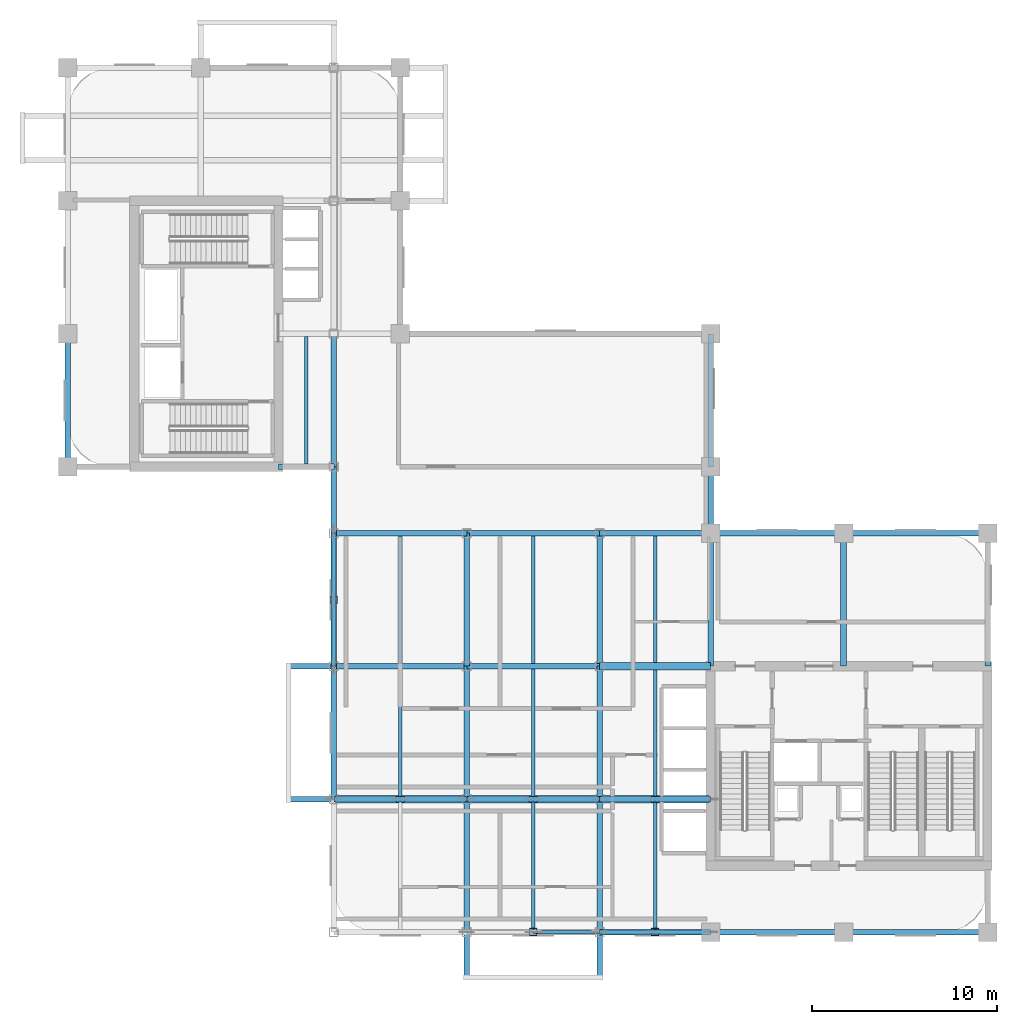
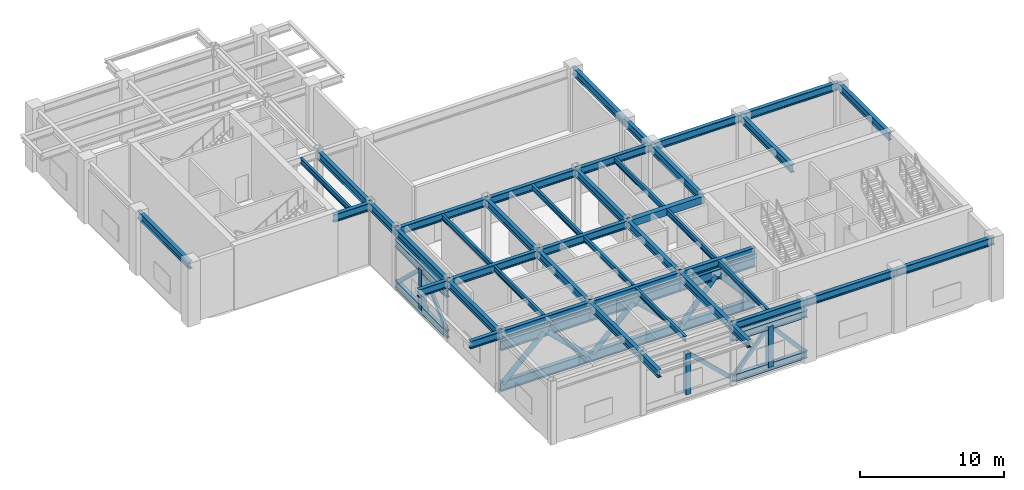
# One storey, part 2 of 10: 40 beams, 24 members.
"""IFC4 building model written with IfcOpenShell, lengths in metres."""

from ifc_helpers import new_model, si_unit, derived_unit, direction, frame, origin, origin_2d, place, context, subcontext, project, spatial, rectangle, hollow_rectangle, hollow_circle, i_section, extrude, source, transform, mapped, material, material_profile, profile_set, type_object, type_shapes, element, save


model = new_model("IFC4")

# Units and contexts
model_context = context("Model", 3, precision=1e-05, world=origin(), true_north=direction((0.0, 1.0)))
body_context = subcontext(model_context, "Body", "Model", "MODEL_VIEW")
ifc_project = project(units=[si_unit("LENGTHUNIT", "METRE"), si_unit("AREAUNIT", "SQUARE_METRE"), si_unit("VOLUMEUNIT", "CUBIC_METRE"), si_unit("PLANEANGLEUNIT", "RADIAN"), si_unit("MASSUNIT", "GRAM", prefix="KILO"), si_unit("THERMODYNAMICTEMPERATUREUNIT", "KELVIN"), si_unit("POWERUNIT", "WATT"), derived_unit("THERMALTRANSMITTANCEUNIT", [(si_unit("POWERUNIT", "WATT"), 1), (si_unit("AREAUNIT", "SQUARE_METRE"), -1), (si_unit("THERMODYNAMICTEMPERATUREUNIT", "KELVIN"), -1)])], contexts=[model_context])

# Site, building, storey
site_placement = place(None, origin())
site = spatial("IfcSite", under=ifc_project, at=site_placement, CompositionType="ELEMENT")
building_placement = place(site_placement, origin())
building = spatial("IfcBuilding", under=site, at=building_placement, Name="Zahravan Archway Hotel and Residences", CompositionType="ELEMENT")
storey_placement = place(building_placement, frame((0.0, 0.0, 196.5)))
storey = spatial("IfcBuildingStorey", under=building, at=storey_placement, Name="L49", CompositionType="ELEMENT", Elevation=196.5)

# Beams
ifc_material_1 = material(Name="Structural Steel S355JR", Category="steel")
ifc_material_profile_1 = material_profile(ifc_material_1, i_section(OverallWidth=0.300048828125, OverallDepth=0.64990234375, WebThickness=0.01611328125, FlangeThickness=0.031005859375, FilletRadius=0.027099609375, at=origin_2d()), Name="HEB 650", Category="steel")
ifc_profile_set_1 = profile_set([ifc_material_profile_1], Name="Structural Steel S355JR")
beam_type_1 = type_object("IfcBeamType", Name="BM-PRI-HEB650", PredefinedType="BEAM", material=ifc_profile_set_1)
shared_shape_1 = source(origin(), body_context, "Body", "SweptSolid", [
    extrude(i_section(OverallWidth=0.300048828125, OverallDepth=0.64990234375, WebThickness=0.01611328125, FlangeThickness=0.031005859375, FilletRadius=0.027099609375, at=origin_2d()), origin(), (0.0, 0.0, 1.0), 7.2001953125),
])
type_shapes(beam_type_1, [shared_shape_1])
for number, where, z_axis, x_axis, name in (
    (1, (14.39990234375, 21.60009765625, 4.824951171875), (1.0, 0.0, 0.0), (0.0, 1.0, 0.0), "L49 Primary Girder EW-11"),
    (2, (14.39990234375, 14.39990234375, 4.824951171875), (0.0, 1.0, 0.0), (-1.0, 0.0, 0.0), "L49 Primary Girder NS-30"),
    (3, (21.60009765625, 14.39990234375, 4.824951171875), (0.0, 1.0, 0.0), (-1.0, 0.0, 0.0), "L49 Primary Girder NS-37"),
    (4, (28.800048828125, 14.39990234375, 4.824951171875), (0.0, 1.0, 0.0), (-1.0, 0.0, 0.0), "L49 Primary Girder NS-40"),
    (5, (34.800048828125, 14.39990234375, 4.824951171875), (0.0, 1.0, 0.0), (-1.0, 0.0, 0.0), "L49 Primary Girder NS-41"),
    (6, (42.0, 14.39990234375, 4.824951171875), (0.0, 1.0, 0.0), (-1.0, 0.0, 0.0), "L49 Primary Girder NS-44"),
    (7, (49.800048828125, 14.39990234375, 4.824951171875), (0.0, 1.0, 0.0), (-1.0, 0.0, 0.0), "L49 Primary Girder NS-45"),
):
    element("IfcBeam", number, at=place(storey_placement, frame(where, z_axis=z_axis, x_axis=x_axis)), inside=storey, type_object=beam_type_1, Name=name, PredefinedType="BEAM", context=body_context, shape_type="MappedRepresentation", body=[
        mapped(shared_shape_1, transform((0.0, 0.0, 0.0), scale=1.0)),
    ])
shared_shape_2 = source(origin(), body_context, "Body", "SweptSolid", [
    extrude(i_section(OverallWidth=0.300048828125, OverallDepth=0.64990234375, WebThickness=0.01611328125, FlangeThickness=0.031005859375, FilletRadius=0.027099609375, at=origin_2d()), origin(), (0.0, 0.0, 1.0), 7.199951171875),
])
for number, where, z_axis, x_axis, name in (
    (8, (34.800048828125, 0.0, 4.824951171875), (1.0, 0.0, 0.0), (0.0, 1.0, 0.0), "L49 Primary Girder EW-04"),
    (9, (21.60009765625, 7.199951171875, 4.824951171875), (1.0, 0.0, 0.0), (0.0, 1.0, 0.0), "L49 Primary Girder EW-07"),
    (10, (21.60009765625, 14.39990234375, 4.824951171875), (1.0, 0.0, 0.0), (0.0, 1.0, 0.0), "L49 Primary Girder EW-10"),
    (11, (21.60009765625, 21.60009765625, 4.824951171875), (1.0, 0.0, 0.0), (0.0, 1.0, 0.0), "L49 Primary Girder EW-12"),
    (12, (34.800048828125, 21.60009765625, 4.824951171875), (1.0, 0.0, 0.0), (0.0, 1.0, 0.0), "L49 Primary Girder EW-14"),
    (13, (0.0, 25.199951171875, 4.824951171875), (0.0, 1.0, 0.0), (-1.0, 0.0, 0.0), "L49 Primary Girder NS-24"),
    (14, (14.39990234375, 7.199951171875, 4.824951171875), (0.0, 1.0, 0.0), (-1.0, 0.0, 0.0), "L49 Primary Girder NS-29"),
    (15, (14.39990234375, 25.199951171875, 4.824951171875), (0.0, 1.0, 0.0), (-1.0, 0.0, 0.0), "L49 Primary Girder NS-32"),
    (16, (21.60009765625, 7.199951171875, 4.824951171875), (0.0, 1.0, 0.0), (-1.0, 0.0, 0.0), "L49 Primary Girder NS-36"),
    (17, (28.800048828125, 7.199951171875, 4.824951171875), (0.0, 1.0, 0.0), (-1.0, 0.0, 0.0), "L49 Primary Girder NS-39"),
    (18, (34.800048828125, 25.199951171875, 4.824951171875), (0.0, 1.0, 0.0), (-1.0, 0.0, 0.0), "L49 Primary Girder NS-43"),
):
    element("IfcBeam", number, at=place(storey_placement, frame(where, z_axis=z_axis, x_axis=x_axis)), inside=storey, type_object=beam_type_1, Name=name, PredefinedType="BEAM", context=body_context, shape_type="MappedRepresentation", body=[
        mapped(shared_shape_2, transform((0.0, 0.0, 0.0), scale=1.0)),
    ])
shared_shape_3 = source(origin(), body_context, "Body", "SweptSolid", [
    extrude(i_section(OverallWidth=0.300048828125, OverallDepth=0.64990234375, WebThickness=0.01611328125, FlangeThickness=0.031005859375, FilletRadius=0.027099609375, at=origin_2d()), origin(), (0.0, 0.0, 1.0), 6.0),
])
for number, where, z_axis, x_axis, name in (
    (19, (28.800048828125, 0.0, 4.824951171875), (1.0, 0.0, 0.0), (0.0, 1.0, 0.0), "L49 Primary Girder EW-03"),
    (20, (28.800048828125, 7.199951171875, 4.824951171875), (1.0, 0.0, 0.0), (0.0, 1.0, 0.0), "L49 Primary Girder EW-08"),
    (21, (28.800048828125, 21.60009765625, 4.824951171875), (1.0, 0.0, 0.0), (0.0, 1.0, 0.0), "L49 Primary Girder EW-13"),
):
    element("IfcBeam", number, at=place(storey_placement, frame(where, z_axis=z_axis, x_axis=x_axis)), inside=storey, type_object=beam_type_1, Name=name, PredefinedType="BEAM", context=body_context, shape_type="MappedRepresentation", body=[
        mapped(shared_shape_3, transform((0.0, 0.0, 0.0), scale=1.0)),
    ])
shared_shape_4 = source(origin(), body_context, "Body", "SweptSolid", [
    extrude(i_section(OverallWidth=0.300048828125, OverallDepth=0.64990234375, WebThickness=0.01611328125, FlangeThickness=0.031005859375, FilletRadius=0.027099609375, at=origin_2d()), origin(), (0.0, 0.0, 1.0), 7.800048828125),
])
for number, where, z_axis, x_axis, name in (
    (22, (42.0, 0.0, 4.824951171875), (1.0, 0.0, 0.0), (0.0, 1.0, 0.0), "L49 Primary Girder EW-05"),
    (23, (42.0, 21.60009765625, 4.824951171875), (1.0, 0.0, 0.0), (0.0, 1.0, 0.0), "L49 Primary Girder EW-15"),
):
    element("IfcBeam", number, at=place(storey_placement, frame(where, z_axis=z_axis, x_axis=x_axis)), inside=storey, type_object=beam_type_1, Name=name, PredefinedType="BEAM", context=body_context, shape_type="MappedRepresentation", body=[
        mapped(shared_shape_4, transform((0.0, 0.0, 0.0), scale=1.0)),
    ])
shared_shape_5 = source(origin(), body_context, "Body", "SweptSolid", [
    extrude(i_section(OverallWidth=0.300048828125, OverallDepth=0.64990234375, WebThickness=0.01611328125, FlangeThickness=0.031005859375, FilletRadius=0.027099609375, at=origin_2d()), origin(), (0.0, 0.0, 1.0), 9.650146484375),
])
for number, where, z_axis, x_axis, name in (
    (24, (11.949951171875, 7.199951171875, 4.824951171875), (1.0, 0.0, 0.0), (0.0, 1.0, 0.0), "L49 Primary Girder EW-06"),
    (25, (11.949951171875, 14.39990234375, 4.824951171875), (1.0, 0.0, 0.0), (0.0, 1.0, 0.0), "L49 Primary Girder EW-09"),
):
    element("IfcBeam", number, at=place(storey_placement, frame(where, z_axis=z_axis, x_axis=x_axis)), inside=storey, type_object=beam_type_1, Name=name, PredefinedType="BEAM", context=body_context, shape_type="MappedRepresentation", body=[
        mapped(shared_shape_5, transform((0.0, 0.0, 0.0), scale=1.0)),
    ])
shared_shape_6 = source(origin(), body_context, "Body", "SweptSolid", [
    extrude(i_section(OverallWidth=0.300048828125, OverallDepth=0.64990234375, WebThickness=0.01611328125, FlangeThickness=0.031005859375, FilletRadius=0.027099609375, at=origin_2d()), origin(), (0.0, 0.0, 1.0), 3.0),
])
beam_1_placement = place(storey_placement, frame((11.39990234375, 25.199951171875, 4.824951171875), z_axis=(1.0, 0.0, 0.0), x_axis=(0.0, 1.0, 0.0)))
element("IfcBeam", 26, at=beam_1_placement, inside=storey, type_object=beam_type_1, Name="L49 Primary Girder EW-16", PredefinedType="BEAM", context=body_context, shape_type="MappedRepresentation", body=[
    mapped(shared_shape_6, transform((0.0, 0.0, 0.0), scale=1.0)),
])
shared_shape_7 = source(origin(), body_context, "Body", "SweptSolid", [
    extrude(i_section(OverallWidth=0.300048828125, OverallDepth=0.64990234375, WebThickness=0.01611328125, FlangeThickness=0.031005859375, FilletRadius=0.027099609375, at=origin_2d()), origin(), (0.0, 0.0, 1.0), 9.64990234375),
])
for number, where, z_axis, x_axis, name in (
    (27, (21.60009765625, -2.449951171875, 4.824951171875), (0.0, 1.0, 0.0), (-1.0, 0.0, 0.0), "L49 Primary Girder NS-35"),
    (28, (28.800048828125, -2.449951171875, 4.824951171875), (0.0, 1.0, 0.0), (-1.0, 0.0, 0.0), "L49 Primary Girder NS-38"),
):
    element("IfcBeam", number, at=place(storey_placement, frame(where, z_axis=z_axis, x_axis=x_axis)), inside=storey, type_object=beam_type_1, Name=name, PredefinedType="BEAM", context=body_context, shape_type="MappedRepresentation", body=[
        mapped(shared_shape_7, transform((0.0, 0.0, 0.0), scale=1.0)),
    ])
shared_shape_8 = source(origin(), body_context, "Body", "SweptSolid", [
    extrude(i_section(OverallWidth=0.300048828125, OverallDepth=0.64990234375, WebThickness=0.01611328125, FlangeThickness=0.031005859375, FilletRadius=0.027099609375, at=origin_2d()), origin(), (0.0, 0.0, 1.0), 3.599853515625),
])
for number, where, z_axis, x_axis, name in (
    (29, (14.39990234375, 21.60009765625, 4.824951171875), (0.0, 1.0, 0.0), (-1.0, 0.0, 0.0), "L49 Primary Girder NS-31"),
    (30, (34.800048828125, 21.60009765625, 4.824951171875), (0.0, 1.0, 0.0), (-1.0, 0.0, 0.0), "L49 Primary Girder NS-42"),
):
    element("IfcBeam", number, at=place(storey_placement, frame(where, z_axis=z_axis, x_axis=x_axis)), inside=storey, type_object=beam_type_1, Name=name, PredefinedType="BEAM", context=body_context, shape_type="MappedRepresentation", body=[
        mapped(shared_shape_8, transform((0.0, 0.0, 0.0), scale=1.0)),
    ])
ifc_material_profile_2 = material_profile(ifc_material_1, i_section(OverallWidth=0.18994140625, OverallDepth=0.449951171875, WebThickness=0.009521484375, FlangeThickness=0.0146484375, FilletRadius=0.02099609375, at=origin_2d()), Name="IPE 450", Category="steel")
ifc_profile_set_2 = profile_set([ifc_material_profile_2], Name="Structural Steel S355JR")
beam_type_2 = type_object("IfcBeamType", Name="BM-JST-IPE450", PredefinedType="JOIST", material=ifc_profile_set_2)
shared_shape_9 = source(origin(), body_context, "Body", "SweptSolid", [
    extrude(i_section(OverallWidth=0.18994140625, OverallDepth=0.449951171875, WebThickness=0.009521484375, FlangeThickness=0.0146484375, FilletRadius=0.02099609375, at=origin_2d()), origin(), (0.0, 0.0, 1.0), 6.904052734375),
])
type_shapes(beam_type_2, [shared_shape_9])
for number, where, z_axis, x_axis, name in (
    (31, (25.199951171875, 0.14794921875, 4.925048828125), (0.0, 1.0, 0.0), (-1.0, 0.0, 0.0), "L49 Composite Floor Joist 02"),
    (32, (31.800048828125, 0.14794921875, 4.925048828125), (0.0, 1.0, 0.0), (-1.0, 0.0, 0.0), "L49 Composite Floor Joist 03"),
    (33, (18.0, 7.347900390625, 4.925048828125), (0.0, 1.0, 0.0), (-1.0, 0.0, 0.0), "L49 Composite Floor Joist 04"),
    (34, (25.199951171875, 7.347900390625, 4.925048828125), (0.0, 1.0, 0.0), (-1.0, 0.0, 0.0), "L49 Composite Floor Joist 05"),
    (35, (12.89990234375, 25.347900390625, 4.925048828125), (0.0, 1.0, 0.0), (-1.0, 0.0, 0.0), "L49 Composite Floor Joist 10"),
):
    element("IfcBeam", number, at=place(storey_placement, frame(where, z_axis=z_axis, x_axis=x_axis)), inside=storey, type_object=beam_type_2, Name=name, PredefinedType="JOIST", context=body_context, shape_type="MappedRepresentation", body=[
        mapped(shared_shape_9, transform((0.0, 0.0, 0.0), scale=1.0)),
    ])
shared_shape_10 = source(origin(), body_context, "Body", "SweptSolid", [
    extrude(i_section(OverallWidth=0.18994140625, OverallDepth=0.449951171875, WebThickness=0.009521484375, FlangeThickness=0.0146484375, FilletRadius=0.02099609375, at=origin_2d()), origin(), (0.0, 0.0, 1.0), 6.90380859375),
])
for number, where, z_axis, x_axis, name in (
    (36, (18.0, 14.548095703125, 4.925048828125), (0.0, 1.0, 0.0), (-1.0, 0.0, 0.0), "L49 Composite Floor Joist 08"),
    (37, (25.199951171875, 14.548095703125, 4.925048828125), (0.0, 1.0, 0.0), (-1.0, 0.0, 0.0), "L49 Composite Floor Joist 09"),
):
    element("IfcBeam", number, at=place(storey_placement, frame(where, z_axis=z_axis, x_axis=x_axis)), inside=storey, type_object=beam_type_2, Name=name, PredefinedType="JOIST", context=body_context, shape_type="MappedRepresentation", body=[
        mapped(shared_shape_10, transform((0.0, 0.0, 0.0), scale=1.0)),
    ])
ifc_material_2 = material(Name="Concrete C60/75", Category="concrete")
ifc_material_profile_3 = material_profile(ifc_material_2, rectangle(XDim=0.39990234375, YDim=0.60009765625, at=origin_2d()), Name="RC-LNT-400x600", Category="concrete")
ifc_profile_set_3 = profile_set([ifc_material_profile_3], Name="Concrete C60/75")
beam_type_3 = type_object("IfcBeamType", Name="LNT-RC-400x600", PredefinedType="LINTEL", material=ifc_profile_set_3)
shared_shape_11 = source(origin(), body_context, "Body", "SweptSolid", [
    extrude(rectangle(XDim=0.39990234375, YDim=0.60009765625, at=origin_2d()), origin(), (0.0, 0.0, 1.0), 6.0),
])
type_shapes(beam_type_3, [shared_shape_11])
beam_2_placement = place(storey_placement, frame((28.800048828125, 14.39990234375, 4.85009765625), z_axis=(1.0, 0.0, 0.0), x_axis=(0.0, 1.0, 0.0)))
element("IfcBeam", 38, at=beam_2_placement, inside=storey, type_object=beam_type_3, Name="L49 Core A Coupling Lintel Beam", PredefinedType="LINTEL", context=body_context, shape_type="MappedRepresentation", body=[
    mapped(shared_shape_11, transform((0.0, 0.0, 0.0), scale=1.0)),
])
shared_shape_12 = source(origin(), body_context, "Body", "SweptSolid", [
    extrude(i_section(OverallWidth=0.18994140625, OverallDepth=0.449951171875, WebThickness=0.009521484375, FlangeThickness=0.0146484375, FilletRadius=0.02099609375, at=origin_2d()), origin(), (0.0, 0.0, 1.0), 6.85400390625),
])
for number, where, z_axis, x_axis, name in (
    (39, (31.800048828125, 7.347900390625, 4.925048828125), (0.0, 1.0, 0.0), (-1.0, 0.0, 0.0), "L49 Composite Floor Joist 06"),
    (40, (31.800048828125, 14.597900390625, 4.925048828125), (0.0, 1.0, 0.0), (-1.0, 0.0, 0.0), "L49 Composite Floor Joist 07"),
):
    element("IfcBeam", number, at=place(storey_placement, frame(where, z_axis=z_axis, x_axis=x_axis)), inside=storey, type_object=beam_type_2, Name=name, PredefinedType="JOIST", context=body_context, shape_type="MappedRepresentation", body=[
        mapped(shared_shape_12, transform((0.0, 0.0, 0.0), scale=1.0)),
    ])

# Members
ifc_material_3 = material(Name="Structural Steel S460M", Category="steel")
ifc_material_profile_4 = material_profile(ifc_material_3, i_section(OverallWidth=0.302978515625, OverallDepth=0.81396484375, WebThickness=0.02099609375, FlangeThickness=0.0400390625, FilletRadius=0.030029296875, at=origin_2d()), Name="HEM 800", Category="steel")
ifc_profile_set_4 = profile_set([ifc_material_profile_4], Name="Structural Steel S460M")
member_type_1 = type_object("IfcMemberType", Name="MEM-CHD-HEM800", PredefinedType="CHORD", material=ifc_profile_set_4)
shared_shape_13 = source(origin(), body_context, "Body", "SweptSolid", [
    extrude(i_section(OverallWidth=0.302978515625, OverallDepth=0.81396484375, WebThickness=0.02099609375, FlangeThickness=0.0400390625, FilletRadius=0.030029296875, at=origin_2d()), origin(), (0.0, 0.0, 1.0), 7.2001953125),
])
type_shapes(member_type_1, [shared_shape_13])
for number, where, z_axis, x_axis, name in (
    (41, (14.39990234375, 7.199951171875, 3.89990234375), (1.0, 0.0, 0.0), (0.0, 1.0, 0.0), "L49 Outrigger OT3 Top Chord 1"),
    (42, (14.39990234375, 7.199951171875, 0.449951171875), (1.0, 0.0, 0.0), (0.0, 1.0, 0.0), "L49 Outrigger OT3 Bottom Chord 1"),
):
    element("IfcMember", number, at=place(storey_placement, frame(where, z_axis=z_axis, x_axis=x_axis)), inside=storey, type_object=member_type_1, Name=name, PredefinedType="CHORD", context=body_context, shape_type="MappedRepresentation", body=[
        mapped(shared_shape_13, transform((0.0, 0.0, 0.0), scale=1.0)),
    ])
shared_shape_14 = source(origin(), body_context, "Body", "SweptSolid", [
    extrude(i_section(OverallWidth=0.302978515625, OverallDepth=0.81396484375, WebThickness=0.02099609375, FlangeThickness=0.0400390625, FilletRadius=0.030029296875, at=origin_2d()), origin(), (0.0, 0.0, 1.0), 7.199951171875),
])
for number, where, z_axis, x_axis, name in (
    (43, (21.60009765625, 7.199951171875, 3.89990234375), (1.0, 0.0, 0.0), (0.0, 1.0, 0.0), "L49 Outrigger OT3 Top Chord 2"),
    (44, (21.60009765625, 7.199951171875, 0.449951171875), (1.0, 0.0, 0.0), (0.0, 1.0, 0.0), "L49 Outrigger OT3 Bottom Chord 2"),
):
    element("IfcMember", number, at=place(storey_placement, frame(where, z_axis=z_axis, x_axis=x_axis)), inside=storey, type_object=member_type_1, Name=name, PredefinedType="CHORD", context=body_context, shape_type="MappedRepresentation", body=[
        mapped(shared_shape_14, transform((0.0, 0.0, 0.0), scale=1.0)),
    ])
shared_shape_15 = source(origin(), body_context, "Body", "SweptSolid", [
    extrude(i_section(OverallWidth=0.302978515625, OverallDepth=0.81396484375, WebThickness=0.02099609375, FlangeThickness=0.0400390625, FilletRadius=0.030029296875, at=origin_2d()), origin(), (0.0, 0.0, 1.0), 6.0),
])
for number, where, z_axis, x_axis, name in (
    (45, (28.800048828125, 7.199951171875, 3.89990234375), (1.0, 0.0, 0.0), (0.0, 1.0, 0.0), "L49 Outrigger OT3 Top Chord 3"),
    (46, (28.800048828125, 7.199951171875, 0.449951171875), (1.0, 0.0, 0.0), (0.0, 1.0, 0.0), "L49 Outrigger OT3 Bottom Chord 3"),
):
    element("IfcMember", number, at=place(storey_placement, frame(where, z_axis=z_axis, x_axis=x_axis)), inside=storey, type_object=member_type_1, Name=name, PredefinedType="CHORD", context=body_context, shape_type="MappedRepresentation", body=[
        mapped(shared_shape_15, transform((0.0, 0.0, 0.0), scale=1.0)),
    ])
ifc_material_4 = material(Name="Structural Steel S355J2", Category="steel")
ifc_material_profile_5 = material_profile(ifc_material_4, hollow_rectangle(XDim=0.199951171875, YDim=0.300048828125, WallThickness=0.012451171875, at=origin_2d()), Name="RHS 300x200x12.5", Category="steel")
ifc_profile_set_5 = profile_set([ifc_material_profile_5], Name="Structural Steel S355J2")
member_type_2 = type_object("IfcMemberType", Name="MEM-DIAG-RHS300", PredefinedType="BRACE", material=ifc_profile_set_5)
shared_shape_16 = source(origin(), body_context, "Body", "SweptSolid", [
    extrude(hollow_rectangle(XDim=0.199951171875, YDim=0.300048828125, WallThickness=0.012451171875, at=origin_2d()), origin(), (0.0, 0.0, 1.0), 4.586181640625),
])
type_shapes(member_type_2, [shared_shape_16])
for number, where, z_axis, x_axis, name in (
    (47, (25.3154296875, 0.0, 3.789306640625), (0.722011473464, 0.0, -0.691881082402), (0.0, 1.0, 0.0), "L49 Belt Truss BT3 Right Brace 1"),
    (48, (14.39990234375, 14.5732421875, 0.6162109375), (0.0, 0.722011473464, 0.691881082402), (-1.0, 0.0, 0.0), "L49 Belt Truss BT3 Left Brace 3"),
    (49, (14.39990234375, 18.115478515625, 3.789306640625), (0.0, 0.722011473464, -0.691881082402), (-1.0, 0.0, 0.0), "L49 Belt Truss BT3 Right Brace 3"),
):
    element("IfcMember", number, at=place(storey_placement, frame(where, z_axis=z_axis, x_axis=x_axis)), inside=storey, type_object=member_type_2, Name=name, PredefinedType="BRACE", context=body_context, shape_type="MappedRepresentation", body=[
        mapped(shared_shape_16, transform((0.0, 0.0, 0.0), scale=1.0)),
    ])
ifc_material_profile_6 = material_profile(ifc_material_4, hollow_rectangle(XDim=0.39990234375, YDim=0.39990234375, WallThickness=0.02001953125, at=origin_2d()), Name="SHS 400x400x20", Category="steel")
ifc_profile_set_6 = profile_set([ifc_material_profile_6], Name="Structural Steel S355J2")
member_type_3 = type_object("IfcMemberType", Name="MEM-POST-SHS400", PredefinedType="POST", material=ifc_profile_set_6)
shared_shape_17 = source(origin(), body_context, "Body", "SweptSolid", [
    extrude(hollow_rectangle(XDim=0.39990234375, YDim=0.39990234375, WallThickness=0.02001953125, at=origin_2d()), origin(), (0.0, 0.0, 1.0), 3.449951171875),
])
type_shapes(member_type_3, [shared_shape_17])
for number, where, z_axis, x_axis, name in (
    (50, (25.199951171875, 0.0, 0.449951171875), (0.0, 0.0, 1.0), (1.0, 0.0, 0.0), "L49 Belt Truss BT3 King Post 1"),
    (51, (31.800048828125, 0.0, 0.449951171875), (0.0, 0.0, 1.0), (1.0, 0.0, 0.0), "L49 Belt Truss BT3 King Post 2"),
    (52, (14.39990234375, 18.0, 0.449951171875), (0.0, 0.0, 1.0), (1.0, 0.0, 0.0), "L49 Belt Truss BT3 King Post 3"),
):
    element("IfcMember", number, at=place(storey_placement, frame(where, z_axis=z_axis, x_axis=x_axis)), inside=storey, type_object=member_type_3, Name=name, PredefinedType="POST", context=body_context, shape_type="MappedRepresentation", body=[
        mapped(shared_shape_17, transform((0.0, 0.0, 0.0), scale=1.0)),
    ])
ifc_material_profile_7 = material_profile(ifc_material_4, i_section(OverallWidth=0.304931640625, OverallDepth=0.6201171875, WebThickness=0.02099609375, FlangeThickness=0.0400390625, FilletRadius=0.027099609375, at=origin_2d()), Name="HEM 600", Category="steel")
ifc_profile_set_7 = profile_set([ifc_material_profile_7], Name="Structural Steel S355J2")
member_type_4 = type_object("IfcMemberType", Name="MEM-CHD-HEM600", PredefinedType="CHORD", material=ifc_profile_set_7)
shared_shape_18 = source(origin(), body_context, "Body", "SweptSolid", [
    extrude(i_section(OverallWidth=0.304931640625, OverallDepth=0.6201171875, WebThickness=0.02099609375, FlangeThickness=0.0400390625, FilletRadius=0.027099609375, at=origin_2d()), origin(), (0.0, 0.0, 1.0), 6.0),
])
for number, where, z_axis, x_axis, name in (
    (53, (28.800048828125, 0.0, 0.449951171875), (1.0, 0.0, 0.0), (0.0, 1.0, 0.0), "L49 Belt Truss BT3 Bottom Chord 2"),
    (54, (28.800048828125, 0.0, 3.89990234375), (1.0, 0.0, 0.0), (0.0, 1.0, 0.0), "L49 Belt Truss BT3 Top Chord 2"),
):
    element("IfcMember", number, at=place(storey_placement, frame(where, z_axis=z_axis, x_axis=x_axis)), inside=storey, type_object=member_type_4, Name=name, PredefinedType="CHORD", context=body_context, shape_type="MappedRepresentation", body=[
        mapped(shared_shape_18, transform((0.0, 0.0, 0.0), scale=1.0)),
    ])
shared_shape_19 = source(origin(), body_context, "Body", "SweptSolid", [
    extrude(hollow_rectangle(XDim=0.199951171875, YDim=0.300048828125, WallThickness=0.012451171875, at=origin_2d()), origin(), (0.0, 0.0, 1.0), 4.171875),
])
for number, where, z_axis, x_axis, name in (
    (55, (28.95751953125, 0.0, 0.631103515625), (0.656177266113, 0.0, 0.754606781997), (0.0, 1.0, 0.0), "L49 Belt Truss BT3 Left Brace 2"),
    (56, (31.905029296875, 0.0, 3.779296875), (0.656177266113, 0.0, -0.754606781997), (0.0, 1.0, 0.0), "L49 Belt Truss BT3 Right Brace 2"),
):
    element("IfcMember", number, at=place(storey_placement, frame(where, z_axis=z_axis, x_axis=x_axis)), inside=storey, type_object=member_type_2, Name=name, PredefinedType="BRACE", context=body_context, shape_type="MappedRepresentation", body=[
        mapped(shared_shape_19, transform((0.0, 0.0, 0.0), scale=1.0)),
    ])
shared_shape_20 = source(origin(), body_context, "Body", "SweptSolid", [
    extrude(i_section(OverallWidth=0.304931640625, OverallDepth=0.6201171875, WebThickness=0.02099609375, FlangeThickness=0.0400390625, FilletRadius=0.027099609375, at=origin_2d()), origin(), (0.0, 0.0, 1.0), 7.2001953125),
])
for number, where, z_axis, x_axis, name in (
    (57, (14.39990234375, 14.39990234375, 0.449951171875), (0.0, 1.0, 0.0), (-1.0, 0.0, 0.0), "L49 Belt Truss BT3 Bottom Chord 3"),
    (58, (14.39990234375, 14.39990234375, 3.89990234375), (0.0, 1.0, 0.0), (-1.0, 0.0, 0.0), "L49 Belt Truss BT3 Top Chord 3"),
):
    element("IfcMember", number, at=place(storey_placement, frame(where, z_axis=z_axis, x_axis=x_axis)), inside=storey, type_object=member_type_4, Name=name, PredefinedType="CHORD", context=body_context, shape_type="MappedRepresentation", body=[
        mapped(shared_shape_20, transform((0.0, 0.0, 0.0), scale=1.0)),
    ])
ifc_material_profile_8 = material_profile(ifc_material_3, hollow_circle(Radius=0.203125, WallThickness=0.02001953125, at=origin_2d()), Name="CHS 406.4x20", Category="steel")
ifc_profile_set_8 = profile_set([ifc_material_profile_8], Name="Structural Steel S460M")
member_type_5 = type_object("IfcMemberType", Name="MEM-DIAG-CHS406", PredefinedType="BRACE", material=ifc_profile_set_8)
shared_shape_21 = source(origin(), body_context, "Body", "SweptSolid", [
    extrude(hollow_circle(Radius=0.203125, WallThickness=0.02001953125, at=origin_2d()), origin(), (0.0, 0.0, 1.0), 4.586181640625),
])
type_shapes(member_type_5, [shared_shape_21])
for number, where, z_axis, x_axis, name in (
    (59, (14.5732421875, 7.199951171875, 0.6162109375), (0.722011473464, 0.0, 0.691881082402), (0.0, 1.0, 0.0), "L49 Outrigger OT3 Chevron Left 1"),
    (60, (18.115478515625, 7.199951171875, 3.789306640625), (0.722011473464, 0.0, -0.691881082402), (0.0, 1.0, 0.0), "L49 Outrigger OT3 Chevron Right 1"),
    (61, (21.773193359375, 7.199951171875, 0.6162109375), (0.722011473464, 0.0, 0.691881082402), (0.0, 1.0, 0.0), "L49 Outrigger OT3 Chevron Left 2"),
    (62, (25.3154296875, 7.199951171875, 3.789306640625), (0.722011473464, 0.0, -0.691881082402), (0.0, 1.0, 0.0), "L49 Outrigger OT3 Chevron Right 2"),
):
    element("IfcMember", number, at=place(storey_placement, frame(where, z_axis=z_axis, x_axis=x_axis)), inside=storey, type_object=member_type_5, Name=name, PredefinedType="BRACE", context=body_context, shape_type="MappedRepresentation", body=[
        mapped(shared_shape_21, transform((0.0, 0.0, 0.0), scale=1.0)),
    ])
shared_shape_22 = source(origin(), body_context, "Body", "SweptSolid", [
    extrude(hollow_circle(Radius=0.203125, WallThickness=0.02001953125, at=origin_2d()), origin(), (0.0, 0.0, 1.0), 4.171875),
])
for number, where, z_axis, x_axis, name in (
    (63, (28.95751953125, 7.199951171875, 0.631103515625), (0.656177266113, 0.0, 0.754606781997), (0.0, 1.0, 0.0), "L49 Outrigger OT3 Chevron Left 3"),
    (64, (31.905029296875, 7.199951171875, 3.779296875), (0.656177266113, 0.0, -0.754606781997), (0.0, 1.0, 0.0), "L49 Outrigger OT3 Chevron Right 3"),
):
    element("IfcMember", number, at=place(storey_placement, frame(where, z_axis=z_axis, x_axis=x_axis)), inside=storey, type_object=member_type_5, Name=name, PredefinedType="BRACE", context=body_context, shape_type="MappedRepresentation", body=[
        mapped(shared_shape_22, transform((0.0, 0.0, 0.0), scale=1.0)),
    ])

save(model, "model.ifc")
